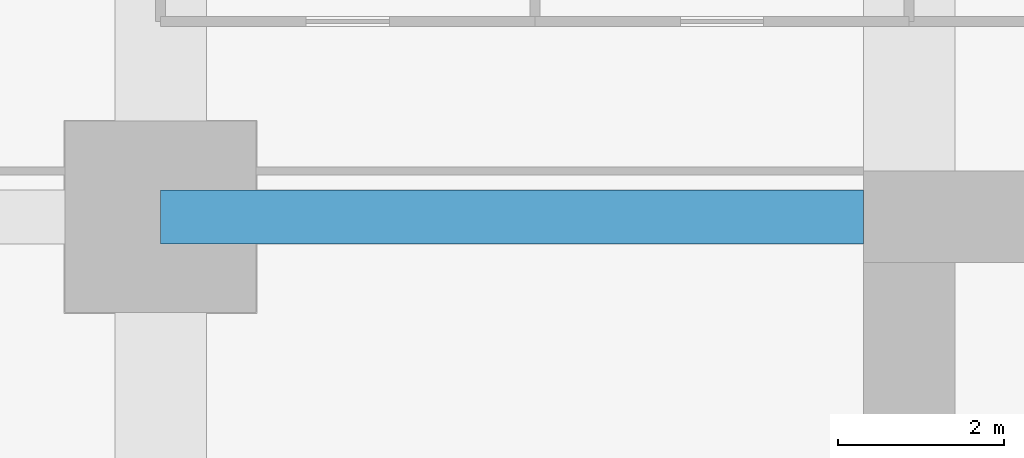
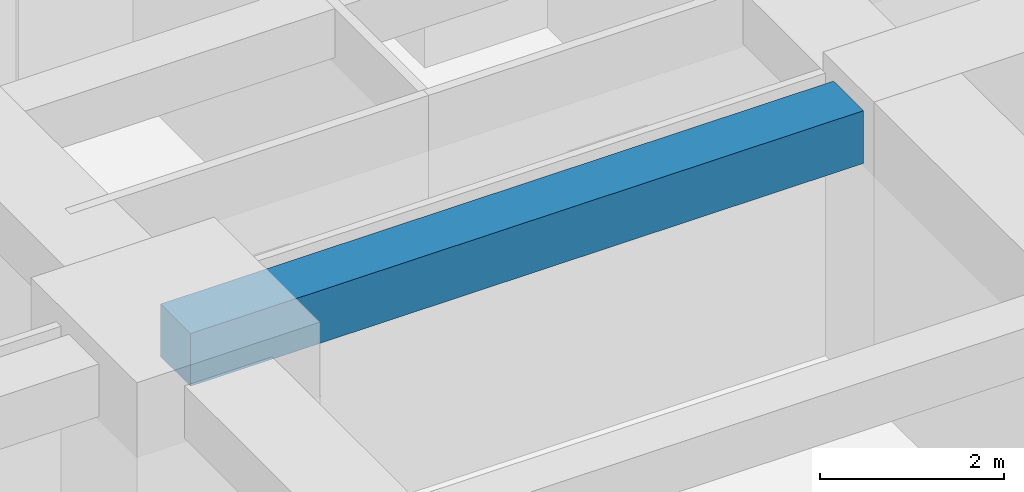
# One storey, part 25 of 50: 1 beam.
"""IFC4 building model written with IfcOpenShell, lengths in metres."""

from ifc_helpers import new_model, si_unit, direction, frame, origin, origin_2d, place, context, subcontext, project, spatial, rectangle, extrude, material, material_profile, profile_set, type_object, element, save


model = new_model("IFC4")

# Units and contexts
model_context = context("Model", 3, precision=1e-05, world=origin(), true_north=direction((0.0, 1.0)))
body_context = subcontext(model_context, "Body", "Model", "MODEL_VIEW")
ifc_project = project(units=[si_unit("LENGTHUNIT", "METRE"), si_unit("AREAUNIT", "SQUARE_METRE"), si_unit("VOLUMEUNIT", "CUBIC_METRE"), si_unit("PLANEANGLEUNIT", "RADIAN"), si_unit("MASSUNIT", "GRAM", prefix="KILO")], contexts=[model_context])

# Site, building, storey
site_placement = place(None, origin())
site = spatial("IfcSite", under=ifc_project, at=site_placement, CompositionType="ELEMENT")
building_placement = place(site_placement, origin())
building = spatial("IfcBuilding", under=site, at=building_placement, Name="Zorevar Civic Tower", CompositionType="ELEMENT")
storey_placement = place(building_placement, frame((0.0, 0.0, 85.0)))
storey = spatial("IfcBuildingStorey", under=building, at=storey_placement, Name="L20", CompositionType="ELEMENT", Elevation=85.0)

# Beam
ifc_material = material(Name="Concrete C50/60", Category="concrete")
ifc_material_profile = material_profile(ifc_material, rectangle(XDim=0.64990234375, YDim=0.699951171875, at=origin_2d()), Name="RC 650x700")
ifc_profile_set = profile_set([ifc_material_profile], Name="Concrete C50/60")
beam_type = type_object("IfcBeamType", Name="Beam RC 650x700", PredefinedType="BEAM", material=ifc_profile_set)
beam_placement = place(storey_placement, frame((9.0, 36.0, 3.39990234375), z_axis=(1.0, 0.0, 0.0), x_axis=(0.0, 1.0, 0.0)))
element("IfcBeam", 1, at=beam_placement, inside=storey, type_object=beam_type, Name="Girder L21", PredefinedType="BEAM", context=body_context, shape_type="SweptSolid", body=[
    extrude(rectangle(XDim=0.64990234375, YDim=0.699951171875, at=origin_2d()), origin(), (0.0, 0.0, 1.0), 8.449951171875),
])

save(model, "model.ifc")
